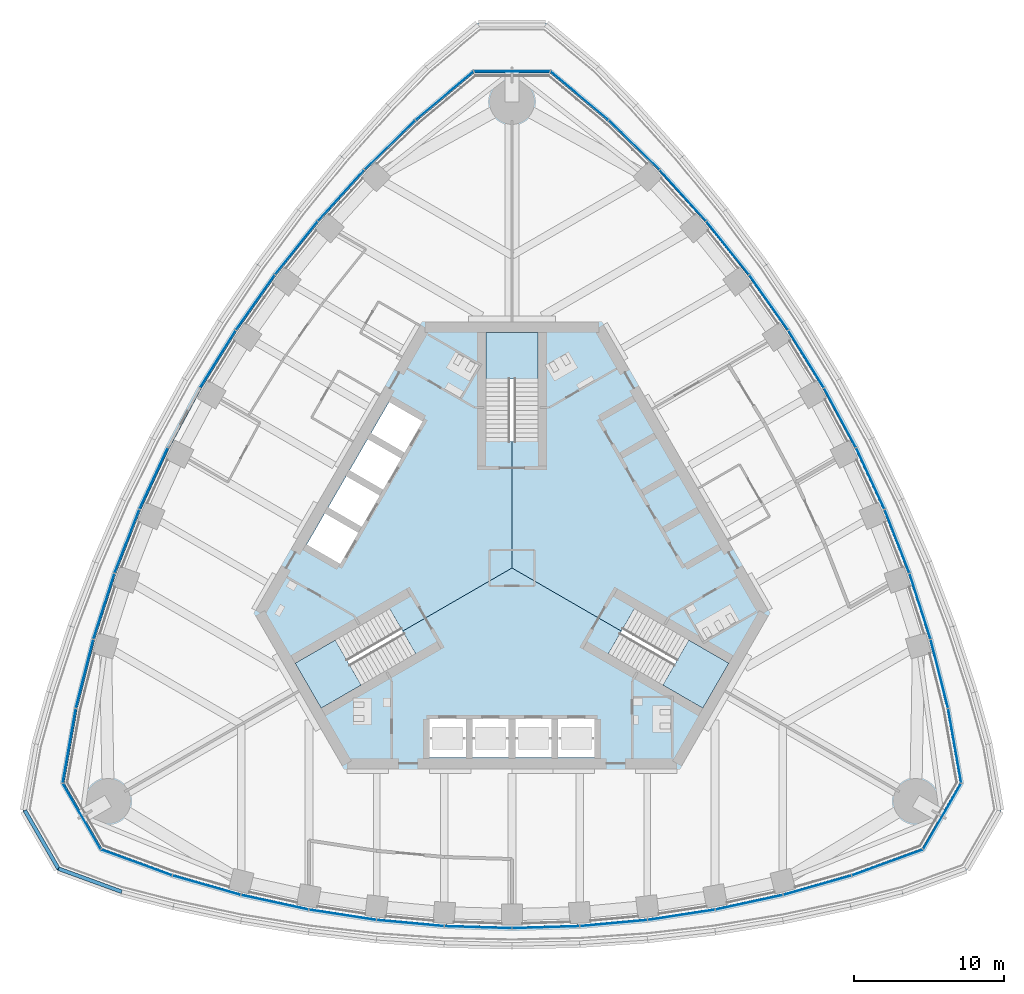
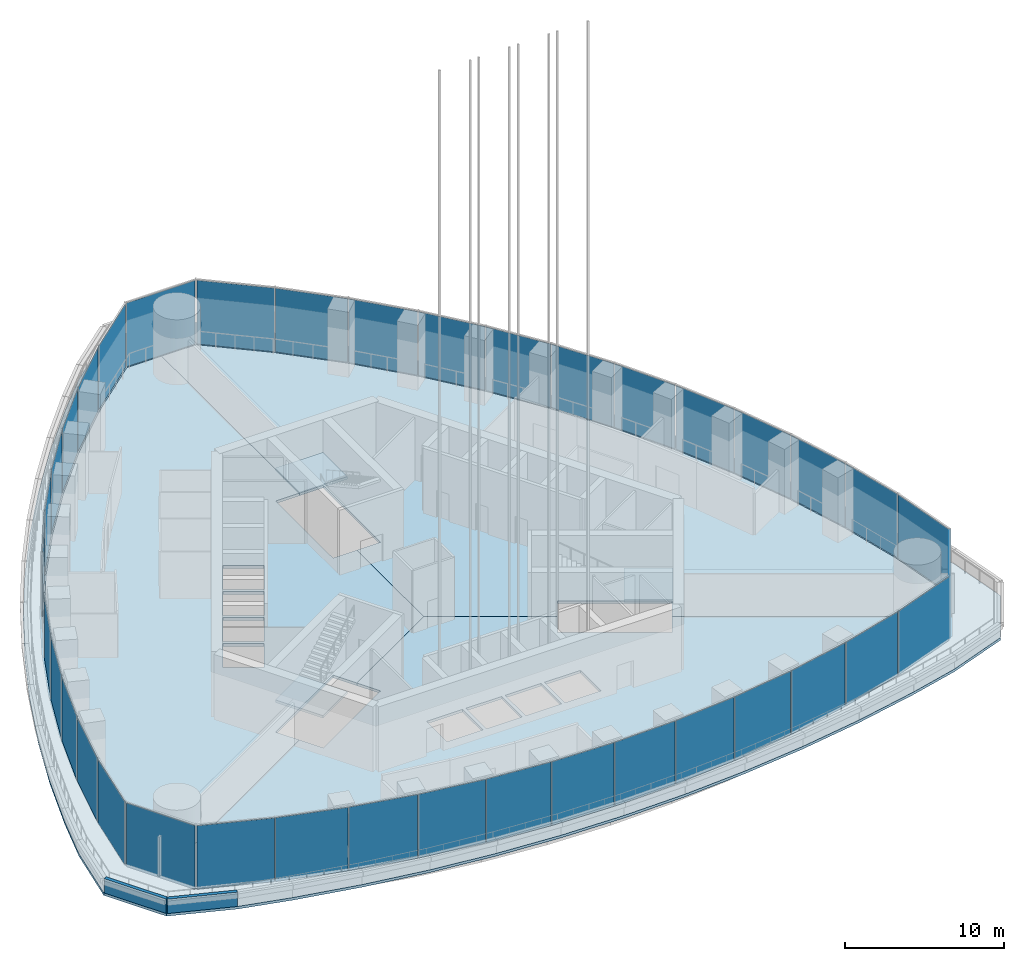
# One storey, part 8 of 26: 38 plates, 7 slabs, 2 walls, 10 elements without a shape of their own.
"""IFC4 building model written with IfcOpenShell, lengths in metres."""

import ifcopenshell
import ifcopenshell.guid

model = None  # the IFC model being written
_history = None  # IfcOwnerHistory: only IFC2X3 demands one
_inside = {}  # id of a spatial element -> (the spatial element, [elements in it])
_under = {}  # id of a project, library or spatial element -> (it, [spatial elements below it])
_declared = {}  # id of a project -> (the project, [libraries it declares])
_typed = {}  # id of a type object -> (the type object, [elements of that type])
_made_of = {}  # id of a material, layer set ... -> (it, [elements and type objects made of it])


def new_model(schema):
    """Start an empty IFC model of exactly this schema.

    Asked for "IFC4X3", IfcOpenShell would pick the latest addendum, in which some entities
    have other attributes; the version numbers below select the first issue.
    IFC2X3 requires an IfcOwnerHistory on every rooted entity: one is made here for all.
    """
    global model, _history
    if schema == "IFC4X3":
        model = ifcopenshell.file(schema_version=(4, 3, 0, 0))
    else:
        model = ifcopenshell.file(schema=schema)
    _inside.clear()
    _under.clear()
    _declared.clear()
    _typed.clear()
    _made_of.clear()
    _history = None
    if model.schema == "IFC2X3":
        org = make("IfcOrganization", Name="unknown")
        user = make(
            "IfcPersonAndOrganization",
            ThePerson=make("IfcPerson", FamilyName="unknown"),
            TheOrganization=org,
        )
        app = make(
            "IfcApplication",
            ApplicationDeveloper=org,
            Version="unknown",
            ApplicationFullName="unknown",
            ApplicationIdentifier="unknown",
        )
        _history = make(
            "IfcOwnerHistory",
            OwningUser=user,
            OwningApplication=app,
            ChangeAction="ADDED",
            CreationDate=0,
        )
    return model


def make(cls, **values):
    """One entity of the class cls with the attributes given. An attribute that is None is left unset."""
    return model.create_entity(
        cls, **{name: value for name, value in values.items() if value is not None}
    )


def rooted(cls, **values):
    """An entity with a GlobalId (a new one), such as an element, a storey or a relation."""
    return make(cls, GlobalId=ifcopenshell.guid.new(), OwnerHistory=_history, **values)


def si_unit(unit_type, name, prefix=None):
    """IfcSIUnit, for example si_unit("LENGTHUNIT", "METRE", prefix="MILLI")."""
    return make("IfcSIUnit", UnitType=unit_type, Prefix=prefix, Name=name)


def assignment(units):
    """IfcUnitAssignment: the units of a project."""
    return None if units is None else make("IfcUnitAssignment", Units=units)


def point(xyz):
    """IfcCartesianPoint."""
    return None if xyz is None else make("IfcCartesianPoint", Coordinates=xyz)


def direction(xyz):
    """IfcDirection."""
    return None if xyz is None else make("IfcDirection", DirectionRatios=xyz)


def frame(location, z_axis=None, x_axis=None):
    """IfcAxis2Placement3D, a coordinate frame: its origin and axes. An axis left out is left unset."""
    return make(
        "IfcAxis2Placement3D",
        Location=point(location),
        Axis=direction(z_axis),
        RefDirection=direction(x_axis),
    )


def frame_2d(location, x_axis=None):
    """IfcAxis2Placement2D, a coordinate frame in the plane: its origin and x axis."""
    return make(
        "IfcAxis2Placement2D", Location=point(location), RefDirection=direction(x_axis)
    )


def origin():
    """The frame at (0, 0, 0) with its axes left unset."""
    return frame((0.0, 0.0, 0.0))


def origin_2d():
    """The frame at (0, 0) in the plane with its x axis left unset."""
    return frame_2d((0.0, 0.0))


def place(relative_to, where):
    """IfcLocalPlacement: puts the frame where relative to a parent placement (None: the world)."""
    return make(
        "IfcLocalPlacement", PlacementRelTo=relative_to, RelativePlacement=where
    )


def context(
    kind, dimensions, precision=None, world=None, true_north=None, identifier=None
):
    """IfcGeometricRepresentationContext, for example the 3D "Model" context."""
    return make(
        "IfcGeometricRepresentationContext",
        ContextIdentifier=identifier,
        ContextType=kind,
        CoordinateSpaceDimension=dimensions,
        Precision=precision,
        WorldCoordinateSystem=world,
        TrueNorth=true_north,
    )


def subcontext(parent, identifier, kind, view, scale=None):
    """IfcGeometricRepresentationSubContext, for example "Body" below "Model"."""
    return make(
        "IfcGeometricRepresentationSubContext",
        ContextIdentifier=identifier,
        ContextType=kind,
        ParentContext=parent,
        TargetScale=scale,
        TargetView=view,
    )


def project(units=None, contexts=None):
    """IfcProject with its units and contexts."""
    return rooted(
        "IfcProject",
        Name="project",
        RepresentationContexts=contexts,
        UnitsInContext=assignment(units),
    )


def spatial(cls, under=None, at=None, **own):
    """A site, building, storey or space (cls), placed at a placement, below another one or the project."""
    s = rooted(cls, ObjectPlacement=at, **own)
    if under is not None:
        _under.setdefault(under.id(), (under, []))[1].append(s)
    return s


def polyline(points):
    """IfcPolyline through the points."""
    return make("IfcPolyline", Points=[point(p) for p in points])


def profile(cls, at=None, kind="AREA", **sizes):
    """A parametric profile (cls). Its sizes go by their IFC names, for example OverallWidth=200.0."""
    return make(cls, ProfileType=kind, Position=at, **sizes)


def rectangle(**sizes):
    """IfcRectangleProfileDef."""
    return profile("IfcRectangleProfileDef", **sizes)


def outline(outer, holes=None, kind="AREA"):
    """IfcArbitraryClosedProfileDef: a profile drawn as a closed curve; with holes, ...WithVoids."""
    if holes is None:
        return make("IfcArbitraryClosedProfileDef", ProfileType=kind, OuterCurve=outer)
    return make(
        "IfcArbitraryProfileDefWithVoids",
        ProfileType=kind,
        OuterCurve=outer,
        InnerCurves=holes,
    )


def extrude(swept, where, along, depth):
    """IfcExtrudedAreaSolid: the profile swept, set in the frame where, extruded along a direction by depth."""
    return make(
        "IfcExtrudedAreaSolid",
        SweptArea=swept,
        Position=where,
        ExtrudedDirection=direction(along),
        Depth=depth,
    )


def shape(context_of_items, identifier, shape_type, items):
    """IfcShapeRepresentation: the items that make up one representation, for example the "Body"."""
    return make(
        "IfcShapeRepresentation",
        ContextOfItems=context_of_items,
        RepresentationIdentifier=identifier,
        RepresentationType=shape_type,
        Items=items,
    )


def material(Name=None, Category=None):
    """IfcMaterial."""
    return make("IfcMaterial", Name=Name, Category=Category)


def layer(
    of_material, thickness, ventilated=None, Name=None, Category=None, Priority=None
):
    """IfcMaterialLayer: one layer of a wall or slab, of a material (None: an air gap)."""
    return make(
        "IfcMaterialLayer",
        Material=of_material,
        LayerThickness=thickness,
        IsVentilated=ventilated,
        Name=Name,
        Category=Category,
        Priority=Priority,
    )


def layer_set(layers, Name=None):
    """IfcMaterialLayerSet."""
    return make("IfcMaterialLayerSet", MaterialLayers=layers, LayerSetName=Name)


def made_of(thing, what):
    """Note that an element or type object is made of a material, layer set ...; save() writes the relation."""
    if what is not None:
        _made_of.setdefault(what.id(), (what, []))[1].append(thing)
    return thing


def type_object(cls, material=None, **own):
    """A type object (cls), such as IfcWallType, which elements share."""
    return made_of(rooted(cls, **own), material)


def element(
    cls,
    number,
    at=None,
    inside=None,
    cuts=None,
    type_object=None,
    material=None,
    context=None,
    identifier="Body",
    shape_type=None,
    held_by="IfcProductDefinitionShape",
    body=None,
    shapes=None,
    **own,
):
    """One element of the class cls, such as IfcWall. Its Tag is "e" and its number.

    at: its placement. inside: the storey or other place that contains it. cuts: it is an
    opening in that element (IfcRelVoidsElement). A single representation is given by context,
    identifier, shape_type and body (its items); several are given by shapes. held_by: the class
    of the entity that holds the representations. save() writes the other relations.
    """
    e = rooted(cls, Tag="e%d" % number, ObjectPlacement=at, **own)
    if body is not None:
        shapes = [shape(context, identifier, shape_type, body)]
    if shapes is not None:
        e.Representation = make(held_by, Representations=shapes)
    if inside is not None:
        _inside.setdefault(inside.id(), (inside, []))[1].append(e)
    if cuts is not None:
        rooted(
            "IfcRelVoidsElement", RelatingBuildingElement=cuts, RelatedOpeningElement=e
        )
    if type_object is not None:
        _typed.setdefault(type_object.id(), (type_object, []))[1].append(e)
    return made_of(e, material)


def aggregate(whole, parts):
    """IfcRelAggregates: a whole, such as a stair, and the parts it consists of."""
    return rooted("IfcRelAggregates", RelatingObject=whole, RelatedObjects=parts)


def save(model, path):
    """Write the relations noted so far, then the file.

    IfcRelAggregates (storeys below a building ...), IfcRelContainedInSpatialStructure (elements
    in a storey), IfcRelDefinesByType, IfcRelAssociatesMaterial and IfcRelDeclares: one each for
    every whole, place, type object, material and project.
    """
    for whole, parts in _under.values():
        aggregate(whole, parts)
    for where, things in _inside.values():
        rooted(
            "IfcRelContainedInSpatialStructure",
            RelatedElements=things,
            RelatingStructure=where,
        )
    for kind, things in _typed.values():
        rooted("IfcRelDefinesByType", RelatedObjects=things, RelatingType=kind)
    for what, things in _made_of.values():
        rooted("IfcRelAssociatesMaterial", RelatedObjects=things, RelatingMaterial=what)
    for by, libraries in _declared.values():
        rooted("IfcRelDeclares", RelatingContext=by, RelatedDefinitions=libraries)
    model.write(path)


model = new_model("IFC4")

# Units and contexts
model_context = context("Model", 3, precision=1e-05, world=origin(), true_north=direction((0.0, 1.0)))
body_context = subcontext(model_context, "Body", "Model", "MODEL_VIEW")
ifc_project = project(units=[si_unit("LENGTHUNIT", "METRE"), si_unit("AREAUNIT", "SQUARE_METRE"), si_unit("VOLUMEUNIT", "CUBIC_METRE"), si_unit("PLANEANGLEUNIT", "RADIAN"), si_unit("MASSUNIT", "GRAM", prefix="KILO")], contexts=[model_context])

# Site, building, storey
site_placement = place(None, origin())
site = spatial("IfcSite", under=ifc_project, at=site_placement, CompositionType="ELEMENT")
building_placement = place(site_placement, origin())
building = spatial("IfcBuilding", under=site, at=building_placement, Name="Trefoil Bronze Tower", CompositionType="ELEMENT")
storey_placement = place(building_placement, frame((0.0, 0.0, 271.300048828125)))
storey = spatial("IfcBuildingStorey", under=building, at=storey_placement, Name="L62", CompositionType="ELEMENT", Elevation=271.300048828125)

# Curtain wall, plates
ifc_material_1 = material(Name="Tinted solar-control glass", Category="glass")
curtain_wall_type_1 = type_object("IfcCurtainWallType", Name="Bronze rounded corner curtain wall", PredefinedType="USERDEFINED", material=ifc_material_1)
curtain_wall_1_placement = place(storey_placement, origin())
curtain_wall_1 = element("IfcCurtainWall", 1, at=curtain_wall_1_placement, inside=storey, type_object=curtain_wall_type_1, Name="CW-B L62 K1", ObjectType="CURTAIN WALL", PredefinedType="USERDEFINED")
ifc_material_2 = material(Name="Tinted solar-control glass", Category="glass")
ifc_layer_1 = layer(ifc_material_2, 0.030029296875)
ifc_layer_set_1 = layer_set([ifc_layer_1], Name="Bronze rounded corner curtain wall glass panel")
plate_type_1 = type_object("IfcPlateType", Name="Bronze rounded corner curtain wall glass panel", PredefinedType="CURTAIN_PANEL", material=ifc_layer_set_1)
plate_1_placement = place(storey_placement, frame((24.939453125, -19.587646484375, 0.0), z_axis=(0.0, 0.0, 1.0), x_axis=(0.939692620786, 0.342020143326, 0.0)))
plate_1 = element("IfcPlate", 2, at=plate_1_placement, type_object=plate_type_1, Name="CW-B L62 K1 panel 1", PredefinedType="CURTAIN_PANEL", context=body_context, shape_type="SweptSolid", body=[
    extrude(rectangle(XDim=4.956298828125, YDim=0.030029296875, at=origin_2d()), origin(), (0.0, 0.0, 1.0), 4.8798828125),
])
plate_2_placement = place(storey_placement, frame((28.602783203125, -16.513916015625, 0.0), z_axis=(0.0, 0.0, 1.0), x_axis=(0.5, 0.866025403784, 0.0)))
plate_2 = element("IfcPlate", 3, at=plate_2_placement, type_object=plate_type_1, Name="CW-B L62 K1 panel 2", PredefinedType="CURTAIN_PANEL", context=body_context, shape_type="SweptSolid", body=[
    extrude(rectangle(XDim=4.956298828125, YDim=0.030029296875, at=origin_2d()), origin(), (0.0, 0.0, 1.0), 4.8798828125),
])
plate_3_placement = place(storey_placement, frame((29.43310546875, -11.80419921875, 0.0), z_axis=(0.0, 0.0, 1.0), x_axis=(-0.173648177667, 0.984807753012, 0.0)))
plate_3 = element("IfcPlate", 4, at=plate_3_placement, type_object=plate_type_1, Name="CW-B L62 K1 panel 3", PredefinedType="CURTAIN_PANEL", context=body_context, shape_type="SweptSolid", body=[
    extrude(rectangle(XDim=4.956298828125, YDim=0.030029296875, at=origin_2d()), origin(), (0.0, 0.0, 1.0), 4.8798828125),
])
aggregate(curtain_wall_1, [plate_1, plate_2, plate_3])

curtain_wall_2_placement = place(storey_placement, origin())
curtain_wall_2 = element("IfcCurtainWall", 5, at=curtain_wall_2_placement, inside=storey, type_object=curtain_wall_type_1, Name="CW-B L62 K2", ObjectType="CURTAIN WALL", PredefinedType="USERDEFINED")
plate_4_placement = place(storey_placement, frame((4.493896484375, 31.39208984375, 0.0), z_axis=(0.0, 0.0, 1.0), x_axis=(-0.766044443119, 0.642787609687, 0.0)))
plate_4 = element("IfcPlate", 6, at=plate_4_placement, type_object=plate_type_1, Name="CW-B L62 K2 panel 1", PredefinedType="CURTAIN_PANEL", context=body_context, shape_type="SweptSolid", body=[
    extrude(rectangle(XDim=4.956298828125, YDim=0.030029296875, at=origin_2d()), origin(), (0.0, 0.0, 1.0), 4.8798828125),
])
plate_5_placement = place(storey_placement, frame((0.0, 33.027587890625, 0.0), z_axis=(0.0, 0.0, 1.0), x_axis=(-1.0, 0.0, 0.0)))
plate_5 = element("IfcPlate", 7, at=plate_5_placement, type_object=plate_type_1, Name="CW-B L62 K2 panel 2", PredefinedType="CURTAIN_PANEL", context=body_context, shape_type="SweptSolid", body=[
    extrude(rectangle(XDim=4.956298828125, YDim=0.030029296875, at=origin_2d()), origin(), (0.0, 0.0, 1.0), 4.8798828125),
])
plate_6_placement = place(storey_placement, frame((-4.493896484375, 31.39208984375, 0.0), z_axis=(0.0, 0.0, 1.0), x_axis=(-0.766044443119, -0.642787609687, 0.0)))
plate_6 = element("IfcPlate", 8, at=plate_6_placement, type_object=plate_type_1, Name="CW-B L62 K2 panel 3", PredefinedType="CURTAIN_PANEL", context=body_context, shape_type="SweptSolid", body=[
    extrude(rectangle(XDim=4.956298828125, YDim=0.030029296875, at=origin_2d()), origin(), (0.0, 0.0, 1.0), 4.8798828125),
])
aggregate(curtain_wall_2, [plate_4, plate_5, plate_6])

curtain_wall_3_placement = place(storey_placement, origin())
curtain_wall_3 = element("IfcCurtainWall", 9, at=curtain_wall_3_placement, inside=storey, type_object=curtain_wall_type_1, Name="CW-B L62 K3", ObjectType="CURTAIN WALL", PredefinedType="USERDEFINED")
plate_7_placement = place(storey_placement, frame((-29.43310546875, -11.80419921875, 0.0), z_axis=(0.0, 0.0, 1.0), x_axis=(-0.173648177667, -0.984807753012, 0.0)))
plate_7 = element("IfcPlate", 10, at=plate_7_placement, type_object=plate_type_1, Name="CW-B L62 K3 panel 1", PredefinedType="CURTAIN_PANEL", context=body_context, shape_type="SweptSolid", body=[
    extrude(rectangle(XDim=4.956298828125, YDim=0.030029296875, at=origin_2d()), origin(), (0.0, 0.0, 1.0), 4.8798828125),
])
plate_8_placement = place(storey_placement, frame((-28.602783203125, -16.513916015625, 0.0), z_axis=(0.0, 0.0, 1.0), x_axis=(0.5, -0.866025403784, 0.0)))
plate_8 = element("IfcPlate", 11, at=plate_8_placement, type_object=plate_type_1, Name="CW-B L62 K3 panel 2", PredefinedType="CURTAIN_PANEL", context=body_context, shape_type="SweptSolid", body=[
    extrude(rectangle(XDim=4.956298828125, YDim=0.030029296875, at=origin_2d()), origin(), (0.0, 0.0, 1.0), 4.8798828125),
])
plate_9_placement = place(storey_placement, frame((-24.939453125, -19.587646484375, 0.0), z_axis=(0.0, 0.0, 1.0), x_axis=(0.939692620786, -0.342020143326, 0.0)))
plate_9 = element("IfcPlate", 12, at=plate_9_placement, type_object=plate_type_1, Name="CW-B L62 K3 panel 3", PredefinedType="CURTAIN_PANEL", context=body_context, shape_type="SweptSolid", body=[
    extrude(rectangle(XDim=4.956298828125, YDim=0.030029296875, at=origin_2d()), origin(), (0.0, 0.0, 1.0), 4.8798828125),
])
aggregate(curtain_wall_3, [plate_7, plate_8, plate_9])

ifc_material_3 = material(Name="Tinted solar-control glass", Category="glass")
curtain_wall_type_2 = type_object("IfcCurtainWallType", Name="Bronze sky lobby curtain wall", PredefinedType="USERDEFINED", material=ifc_material_3)
curtain_wall_4_placement = place(storey_placement, origin())
curtain_wall_4 = element("IfcCurtainWall", 13, at=curtain_wall_4_placement, inside=storey, type_object=curtain_wall_type_2, Name="CW-D L62 F1", ObjectType="CURTAIN WALL", PredefinedType="USERDEFINED")
ifc_material_4 = material(Name="Tinted solar-control glass", Category="glass")
ifc_layer_2 = layer(ifc_material_4, 0.030029296875)
ifc_layer_set_2 = layer_set([ifc_layer_2], Name="Bronze sky lobby curtain wall glass panel")
plate_type_2 = type_object("IfcPlateType", Name="Bronze sky lobby curtain wall glass panel", PredefinedType="CURTAIN_PANEL", material=ifc_layer_set_2)
plate_10_placement = place(storey_placement, frame((-20.301513671875, -21.092529296875, 0.0), z_axis=(0.0, 0.0, 1.0), x_axis=(0.962097746943, -0.272704831875, 0.0)))
plate_10 = element("IfcPlate", 14, at=plate_10_placement, type_object=plate_type_2, Name="CW-D L62 F1 panel 1", PredefinedType="CURTAIN_PANEL", context=body_context, shape_type="SweptSolid", body=[
    extrude(rectangle(XDim=4.66748046875, YDim=0.030029296875, at=origin_2d()), origin(), (0.0, 0.0, 1.0), 4.8798828125),
])
plate_11_placement = place(storey_placement, frame((-15.771240234375, -22.226318359375, 0.0), z_axis=(0.0, 0.0, 1.0), x_axis=(0.977303138829, -0.211845639168, 0.0)))
plate_11 = element("IfcPlate", 15, at=plate_11_placement, type_object=plate_type_2, Name="CW-D L62 F1 panel 2", PredefinedType="CURTAIN_PANEL", context=body_context, shape_type="SweptSolid", body=[
    extrude(rectangle(XDim=4.54443359375, YDim=0.030029296875, at=origin_2d()), origin(), (0.0, 0.0, 1.0), 4.8798828125),
])
plate_12_placement = place(storey_placement, frame((-11.26513671875, -23.0595703125, 0.0), z_axis=(0.0, 0.0, 1.0), x_axis=(0.988485337216, -0.151316681529, 0.0)))
plate_12 = element("IfcPlate", 16, at=plate_12_placement, type_object=plate_type_2, Name="CW-D L62 F1 panel 3", PredefinedType="CURTAIN_PANEL", context=body_context, shape_type="SweptSolid", body=[
    extrude(rectangle(XDim=4.492431640625, YDim=0.030029296875, at=origin_2d()), origin(), (0.0, 0.0, 1.0), 4.8798828125),
])
plate_13_placement = place(storey_placement, frame((-6.759033203125, -23.60986328125, 0.0), z_axis=(0.0, 0.0, 1.0), x_axis=(0.99587011625, -0.090789380212, 0.0)))
plate_13 = element("IfcPlate", 17, at=plate_13_placement, type_object=plate_type_2, Name="CW-D L62 F1 panel 4", PredefinedType="CURTAIN_PANEL", context=body_context, shape_type="SweptSolid", body=[
    extrude(rectangle(XDim=4.458740234375, YDim=0.030029296875, at=origin_2d()), origin(), (0.0, 0.0, 1.0), 4.8798828125),
])
plate_14_placement = place(storey_placement, frame((-2.2529296875, -23.883544921875, 0.0), z_axis=(0.0, 0.0, 1.0), x_axis=(0.999541969785, -0.030263024264, 0.0)))
plate_14 = element("IfcPlate", 18, at=plate_14_placement, type_object=plate_type_2, Name="CW-D L62 F1 panel 5", PredefinedType="CURTAIN_PANEL", context=body_context, shape_type="SweptSolid", body=[
    extrude(rectangle(XDim=4.442138671875, YDim=0.030029296875, at=origin_2d()), origin(), (0.0, 0.0, 1.0), 4.8798828125),
])
plate_15_placement = place(storey_placement, frame((2.2529296875, -23.883544921875, 0.0), z_axis=(0.0, 0.0, 1.0), x_axis=(0.999541969785, 0.030263024264, 0.0)))
plate_15 = element("IfcPlate", 19, at=plate_15_placement, type_object=plate_type_2, Name="CW-D L62 F1 panel 6", PredefinedType="CURTAIN_PANEL", context=body_context, shape_type="SweptSolid", body=[
    extrude(rectangle(XDim=4.442138671875, YDim=0.030029296875, at=origin_2d()), origin(), (0.0, 0.0, 1.0), 4.8798828125),
])
plate_16_placement = place(storey_placement, frame((6.759033203125, -23.60986328125, 0.0), z_axis=(0.0, 0.0, 1.0), x_axis=(0.99587011625, 0.090789380212, 0.0)))
plate_16 = element("IfcPlate", 20, at=plate_16_placement, type_object=plate_type_2, Name="CW-D L62 F1 panel 7", PredefinedType="CURTAIN_PANEL", context=body_context, shape_type="SweptSolid", body=[
    extrude(rectangle(XDim=4.458740234375, YDim=0.030029296875, at=origin_2d()), origin(), (0.0, 0.0, 1.0), 4.8798828125),
])
plate_17_placement = place(storey_placement, frame((11.26513671875, -23.0595703125, 0.0), z_axis=(0.0, 0.0, 1.0), x_axis=(0.988485337216, 0.151316681529, 0.0)))
plate_17 = element("IfcPlate", 21, at=plate_17_placement, type_object=plate_type_2, Name="CW-D L62 F1 panel 8", PredefinedType="CURTAIN_PANEL", context=body_context, shape_type="SweptSolid", body=[
    extrude(rectangle(XDim=4.492431640625, YDim=0.030029296875, at=origin_2d()), origin(), (0.0, 0.0, 1.0), 4.8798828125),
])
plate_18_placement = place(storey_placement, frame((15.771240234375, -22.226318359375, 0.0), z_axis=(0.0, 0.0, 1.0), x_axis=(0.977303138829, 0.211845639168, 0.0)))
plate_18 = element("IfcPlate", 22, at=plate_18_placement, type_object=plate_type_2, Name="CW-D L62 F1 panel 9", PredefinedType="CURTAIN_PANEL", context=body_context, shape_type="SweptSolid", body=[
    extrude(rectangle(XDim=4.54443359375, YDim=0.030029296875, at=origin_2d()), origin(), (0.0, 0.0, 1.0), 4.8798828125),
])
plate_19_placement = place(storey_placement, frame((20.301513671875, -21.092529296875, 0.0), z_axis=(0.0, 0.0, 1.0), x_axis=(0.962097746943, 0.272704831875, 0.0)))
plate_19 = element("IfcPlate", 23, at=plate_19_placement, type_object=plate_type_2, Name="CW-D L62 F1 panel 10", PredefinedType="CURTAIN_PANEL", context=body_context, shape_type="SweptSolid", body=[
    extrude(rectangle(XDim=4.66748046875, YDim=0.030029296875, at=origin_2d()), origin(), (0.0, 0.0, 1.0), 4.8798828125),
])
aggregate(curtain_wall_4, [plate_10, plate_11, plate_12, plate_13, plate_14, plate_15, plate_16, plate_17, plate_18, plate_19])

curtain_wall_5_placement = place(storey_placement, origin())
curtain_wall_5 = element("IfcCurtainWall", 24, at=curtain_wall_5_placement, inside=storey, type_object=curtain_wall_type_2, Name="CW-D L62 F2", ObjectType="CURTAIN WALL", PredefinedType="USERDEFINED")
plate_20_placement = place(storey_placement, frame((28.417236328125, -7.035400390625, 0.0), z_axis=(0.0, 0.0, 1.0), x_axis=(-0.244879561333, 0.969553505713, 0.0)))
plate_20 = element("IfcPlate", 25, at=plate_20_placement, type_object=plate_type_2, Name="CW-D L62 F2 panel 1", PredefinedType="CURTAIN_PANEL", context=body_context, shape_type="SweptSolid", body=[
    extrude(rectangle(XDim=4.66748046875, YDim=0.030029296875, at=origin_2d()), origin(), (0.0, 0.0, 1.0), 4.8798828125),
])
plate_21_placement = place(storey_placement, frame((27.134033203125, -2.545166015625, 0.0), z_axis=(0.0, 0.0, 1.0), x_axis=(-0.305187864214, 0.952292165009, 0.0)))
plate_21 = element("IfcPlate", 26, at=plate_21_placement, type_object=plate_type_2, Name="CW-D L62 F2 panel 2", PredefinedType="CURTAIN_PANEL", context=body_context, shape_type="SweptSolid", body=[
    extrude(rectangle(XDim=4.54443359375, YDim=0.030029296875, at=origin_2d()), origin(), (0.0, 0.0, 1.0), 4.8798828125),
])
plate_22_placement = place(storey_placement, frame((25.602783203125, 1.77392578125, 0.0), z_axis=(0.0, 0.0, 1.0), x_axis=(-0.363198578387, 0.931711754062, 0.0)))
plate_22 = element("IfcPlate", 27, at=plate_22_placement, type_object=plate_type_2, Name="CW-D L62 F2 panel 3", PredefinedType="CURTAIN_PANEL", context=body_context, shape_type="SweptSolid", body=[
    extrude(rectangle(XDim=4.492431640625, YDim=0.030029296875, at=origin_2d()), origin(), (0.0, 0.0, 1.0), 4.8798828125),
])
plate_23_placement = place(storey_placement, frame((23.826171875, 5.951416015625, 0.0), z_axis=(0.0, 0.0, 1.0), x_axis=(-0.419309148468, 0.907843509649, 0.0)))
plate_23 = element("IfcPlate", 28, at=plate_23_placement, type_object=plate_type_2, Name="CW-D L62 F2 panel 4", PredefinedType="CURTAIN_PANEL", context=body_context, shape_type="SweptSolid", body=[
    extrude(rectangle(XDim=4.458740234375, YDim=0.030029296875, at=origin_2d()), origin(), (0.0, 0.0, 1.0), 4.8798828125),
])
plate_24_placement = place(storey_placement, frame((21.81005859375, 9.990478515625, 0.0), z_axis=(0.0, 0.0, 1.0), x_axis=(-0.473562437085, 0.880760250115, 0.0)))
plate_24 = element("IfcPlate", 29, at=plate_24_placement, type_object=plate_type_2, Name="CW-D L62 F2 panel 5", PredefinedType="CURTAIN_PANEL", context=body_context, shape_type="SweptSolid", body=[
    extrude(rectangle(XDim=4.442138671875, YDim=0.030029296875, at=origin_2d()), origin(), (0.0, 0.0, 1.0), 4.8798828125),
])
plate_25_placement = place(storey_placement, frame((19.55712890625, 13.892822265625, 0.0), z_axis=(0.0, 0.0, 1.0), x_axis=(-0.525979532701, 0.850497225851, 0.0)))
plate_25 = element("IfcPlate", 30, at=plate_25_placement, type_object=plate_type_2, Name="CW-D L62 F2 panel 6", PredefinedType="CURTAIN_PANEL", context=body_context, shape_type="SweptSolid", body=[
    extrude(rectangle(XDim=4.442138671875, YDim=0.030029296875, at=origin_2d()), origin(), (0.0, 0.0, 1.0), 4.8798828125),
])
plate_26_placement = place(storey_placement, frame((17.067138671875, 17.658447265625, 0.0), z_axis=(0.0, 0.0, 1.0), x_axis=(-0.576560967783, 0.817054129437, 0.0)))
plate_26 = element("IfcPlate", 31, at=plate_26_placement, type_object=plate_type_2, Name="CW-D L62 F2 panel 7", PredefinedType="CURTAIN_PANEL", context=body_context, shape_type="SweptSolid", body=[
    extrude(rectangle(XDim=4.458740234375, YDim=0.030029296875, at=origin_2d()), origin(), (0.0, 0.0, 1.0), 4.8798828125),
])
plate_27_placement = place(storey_placement, frame((14.337646484375, 21.28564453125, 0.0), z_axis=(0.0, 0.0, 1.0), x_axis=(-0.625286758829, 0.780395072533, 0.0)))
plate_27 = element("IfcPlate", 32, at=plate_27_placement, type_object=plate_type_2, Name="CW-D L62 F2 panel 8", PredefinedType="CURTAIN_PANEL", context=body_context, shape_type="SweptSolid", body=[
    extrude(rectangle(XDim=4.492431640625, YDim=0.030029296875, at=origin_2d()), origin(), (0.0, 0.0, 1.0), 4.8798828125),
])
plate_28_placement = place(storey_placement, frame((11.36279296875, 24.771484375, 0.0), z_axis=(0.0, 0.0, 1.0), x_axis=(-0.672115274615, 0.74044652584, 0.0)))
plate_28 = element("IfcPlate", 33, at=plate_28_placement, type_object=plate_type_2, Name="CW-D L62 F2 panel 9", PredefinedType="CURTAIN_PANEL", context=body_context, shape_type="SweptSolid", body=[
    extrude(rectangle(XDim=4.54443359375, YDim=0.030029296875, at=origin_2d()), origin(), (0.0, 0.0, 1.0), 4.8798828125),
])
plate_29_placement = place(storey_placement, frame((8.115966796875, 28.127685546875, 0.0), z_axis=(0.0, 0.0, 1.0), x_axis=(-0.71721818561, 0.696848673839, 0.0)))
plate_29 = element("IfcPlate", 34, at=plate_29_placement, type_object=plate_type_2, Name="CW-D L62 F2 panel 10", PredefinedType="CURTAIN_PANEL", context=body_context, shape_type="SweptSolid", body=[
    extrude(rectangle(XDim=4.66748046875, YDim=0.030029296875, at=origin_2d()), origin(), (0.0, 0.0, 1.0), 4.8798828125),
])
aggregate(curtain_wall_5, [plate_20, plate_21, plate_22, plate_23, plate_24, plate_25, plate_26, plate_27, plate_28, plate_29])

curtain_wall_6_placement = place(storey_placement, origin())
curtain_wall_6 = element("IfcCurtainWall", 35, at=curtain_wall_6_placement, inside=storey, type_object=curtain_wall_type_2, Name="CW-D L62 F3 run 1", ObjectType="CURTAIN WALL", PredefinedType="USERDEFINED")
plate_30_placement = place(storey_placement, frame((-8.115966796875, 28.127685546875, 0.0), z_axis=(0.0, 0.0, 1.0), x_axis=(-0.71721818561, -0.696848673839, 0.0)))
plate_30 = element("IfcPlate", 36, at=plate_30_placement, type_object=plate_type_2, Name="CW-D L62 F3 run 1 panel 1", PredefinedType="CURTAIN_PANEL", context=body_context, shape_type="SweptSolid", body=[
    extrude(rectangle(XDim=4.66748046875, YDim=0.030029296875, at=origin_2d()), origin(), (0.0, 0.0, 1.0), 4.8798828125),
])
plate_31_placement = place(storey_placement, frame((-11.36279296875, 24.771484375, 0.0), z_axis=(0.0, 0.0, 1.0), x_axis=(-0.672115274615, -0.74044652584, 0.0)))
plate_31 = element("IfcPlate", 37, at=plate_31_placement, type_object=plate_type_2, Name="CW-D L62 F3 run 1 panel 2", PredefinedType="CURTAIN_PANEL", context=body_context, shape_type="SweptSolid", body=[
    extrude(rectangle(XDim=4.54443359375, YDim=0.030029296875, at=origin_2d()), origin(), (0.0, 0.0, 1.0), 4.8798828125),
])
plate_32_placement = place(storey_placement, frame((-14.337646484375, 21.28564453125, 0.0), z_axis=(0.0, 0.0, 1.0), x_axis=(-0.625286758829, -0.780395072533, 0.0)))
plate_32 = element("IfcPlate", 38, at=plate_32_placement, type_object=plate_type_2, Name="CW-D L62 F3 run 1 panel 3", PredefinedType="CURTAIN_PANEL", context=body_context, shape_type="SweptSolid", body=[
    extrude(rectangle(XDim=4.492431640625, YDim=0.030029296875, at=origin_2d()), origin(), (0.0, 0.0, 1.0), 4.8798828125),
])
plate_33_placement = place(storey_placement, frame((-17.067138671875, 17.658447265625, 0.0), z_axis=(0.0, 0.0, 1.0), x_axis=(-0.576560967783, -0.817054129437, 0.0)))
plate_33 = element("IfcPlate", 39, at=plate_33_placement, type_object=plate_type_2, Name="CW-D L62 F3 run 1 panel 4", PredefinedType="CURTAIN_PANEL", context=body_context, shape_type="SweptSolid", body=[
    extrude(rectangle(XDim=4.458740234375, YDim=0.030029296875, at=origin_2d()), origin(), (0.0, 0.0, 1.0), 4.8798828125),
])
plate_34_placement = place(storey_placement, frame((-19.55712890625, 13.892822265625, 0.0), z_axis=(0.0, 0.0, 1.0), x_axis=(-0.525979532701, -0.850497225851, 0.0)))
plate_34 = element("IfcPlate", 40, at=plate_34_placement, type_object=plate_type_2, Name="CW-D L62 F3 run 1 panel 5", PredefinedType="CURTAIN_PANEL", context=body_context, shape_type="SweptSolid", body=[
    extrude(rectangle(XDim=4.442138671875, YDim=0.030029296875, at=origin_2d()), origin(), (0.0, 0.0, 1.0), 4.8798828125),
])
aggregate(curtain_wall_6, [plate_30, plate_31, plate_32, plate_33, plate_34])

curtain_wall_7_placement = place(storey_placement, origin())
curtain_wall_7 = element("IfcCurtainWall", 41, at=curtain_wall_7_placement, inside=storey, type_object=curtain_wall_type_2, Name="CW-D L62 F3 run 3", ObjectType="CURTAIN WALL", PredefinedType="USERDEFINED")
plate_35_placement = place(storey_placement, frame((-23.826171875, 5.951416015625, 0.0), z_axis=(0.0, 0.0, 1.0), x_axis=(-0.419309148468, -0.907843509649, 0.0)))
plate_35 = element("IfcPlate", 42, at=plate_35_placement, type_object=plate_type_2, Name="CW-D L62 F3 run 3 panel 1", PredefinedType="CURTAIN_PANEL", context=body_context, shape_type="SweptSolid", body=[
    extrude(rectangle(XDim=4.458740234375, YDim=0.030029296875, at=origin_2d()), origin(), (0.0, 0.0, 1.0), 4.8798828125),
])
plate_36_placement = place(storey_placement, frame((-25.602783203125, 1.77392578125, 0.0), z_axis=(0.0, 0.0, 1.0), x_axis=(-0.363198578387, -0.931711754062, 0.0)))
plate_36 = element("IfcPlate", 43, at=plate_36_placement, type_object=plate_type_2, Name="CW-D L62 F3 run 3 panel 2", PredefinedType="CURTAIN_PANEL", context=body_context, shape_type="SweptSolid", body=[
    extrude(rectangle(XDim=4.492431640625, YDim=0.030029296875, at=origin_2d()), origin(), (0.0, 0.0, 1.0), 4.8798828125),
])
plate_37_placement = place(storey_placement, frame((-27.134033203125, -2.545166015625, 0.0), z_axis=(0.0, 0.0, 1.0), x_axis=(-0.305187864214, -0.952292165009, 0.0)))
plate_37 = element("IfcPlate", 44, at=plate_37_placement, type_object=plate_type_2, Name="CW-D L62 F3 run 3 panel 3", PredefinedType="CURTAIN_PANEL", context=body_context, shape_type="SweptSolid", body=[
    extrude(rectangle(XDim=4.54443359375, YDim=0.030029296875, at=origin_2d()), origin(), (0.0, 0.0, 1.0), 4.8798828125),
])
plate_38_placement = place(storey_placement, frame((-28.417236328125, -7.035400390625, 0.0), z_axis=(0.0, 0.0, 1.0), x_axis=(-0.244879561333, -0.969553505713, 0.0)))
plate_38 = element("IfcPlate", 45, at=plate_38_placement, type_object=plate_type_2, Name="CW-D L62 F3 run 3 panel 4", PredefinedType="CURTAIN_PANEL", context=body_context, shape_type="SweptSolid", body=[
    extrude(rectangle(XDim=4.66748046875, YDim=0.030029296875, at=origin_2d()), origin(), (0.0, 0.0, 1.0), 4.8798828125),
])
aggregate(curtain_wall_7, [plate_35, plate_36, plate_37, plate_38])

# Slabs
ifc_material_5 = material(Name="Concrete B30", Category="concrete")
ifc_layer_3 = layer(ifc_material_5, 0.199951171875)
ifc_layer_set_3 = layer_set([ifc_layer_3], Name="Floor slab 200")
slab_type_1 = type_object("IfcSlabType", Name="Floor slab 200", PredefinedType="FLOOR", material=ifc_layer_set_3)
slab_1_placement = place(storey_placement, frame((0.0, 0.0, -0.199951171875)))
element("IfcSlab", 46, at=slab_1_placement, inside=storey, type_object=slab_type_1, Name="Floor slab L62 face 1", PredefinedType="FLOOR", context=body_context, shape_type="SweptSolid", body=[
    extrude(outline(polyline([(13.5, -22.6162109375), (9.0, -23.30517578125), (4.5, -23.71533203125), (0.0, -23.8515625), (-4.5, -23.71533203125), (-9.0, -23.30517578125), (-13.5, -22.6162109375), (-18.0, -21.640869140625), (-22.54833984375, -20.3515625), (-27.261962890625, -18.635986328125), (-28.51611328125, -16.4638671875), (-13.510009765625, -7.800048828125), (-12.6474609375, -9.2939453125), (-6.412109375, -5.69384765625), (-7.274658203125, -4.199951171875), (0.0, 0.0), (7.274658203125, -4.199951171875), (6.412109375, -5.69384765625), (12.6474609375, -9.2939453125), (13.510009765625, -7.800048828125), (28.51611328125, -16.4638671875), (27.261962890625, -18.635986328125), (22.54833984375, -20.3515625), (18.0, -21.640869140625), (13.5, -22.6162109375)]), holes=[polyline([(-5.574951171875, -10.02490234375), (-2.97509765625, -10.02490234375), (-2.97509765625, -12.60009765625), (-5.574951171875, -12.60009765625), (-5.574951171875, -10.02490234375)]), polyline([(-2.72509765625, -10.02490234375), (-0.125, -10.02490234375), (-0.125, -12.60009765625), (-2.72509765625, -12.60009765625), (-2.72509765625, -10.02490234375)]), polyline([(0.125, -10.02490234375), (2.72509765625, -10.02490234375), (2.72509765625, -12.60009765625), (0.125, -12.60009765625), (0.125, -10.02490234375)]), polyline([(2.97509765625, -10.02490234375), (5.574951171875, -10.02490234375), (5.574951171875, -12.60009765625), (2.97509765625, -12.60009765625), (2.97509765625, -10.02490234375)])]), origin(), (0.0, 0.0, 1.0), 0.199951171875),
])
slab_2_placement = place(storey_placement, frame((0.0, 0.0, -0.199951171875)))
element("IfcSlab", 47, at=slab_2_placement, inside=storey, type_object=slab_type_1, Name="Floor slab L62 face 2", PredefinedType="FLOOR", context=body_context, shape_type="SweptSolid", body=[
    extrude(outline(polyline([(12.836181640625, 22.99951171875), (15.682861328125, 19.44677734375), (18.2880859375, 15.7548828125), (20.656005859375, 11.92578125), (22.7880859375, 7.96044921875), (24.682861328125, 3.8583984375), (26.336181640625, -0.38330078125), (27.741455078125, -4.76806640625), (28.899169921875, -9.3515625), (29.770263671875, -14.291748046875), (28.51611328125, -16.4638671875), (13.510009765625, -7.800048828125), (14.37255859375, -6.30615234375), (8.13720703125, -2.7060546875), (7.274658203125, -4.199951171875), (0.0, 0.0), (0.0, 8.39990234375), (1.72509765625, 8.39990234375), (1.72509765625, 15.60009765625), (0.0, 15.60009765625), (0.0, 32.927490234375), (2.508056640625, 32.927490234375), (6.350830078125, 29.703125), (9.741455078125, 26.408935546875), (12.836181640625, 22.99951171875)])), origin(), (0.0, 0.0, 1.0), 0.199951171875),
])
slab_3_placement = place(storey_placement, frame((0.0, 0.0, -0.199951171875)))
element("IfcSlab", 48, at=slab_3_placement, inside=storey, type_object=slab_type_1, Name="Floor slab L62 face 3", PredefinedType="FLOOR", context=body_context, shape_type="SweptSolid", body=[
    extrude(outline(polyline([(-26.336181640625, -0.38330078125), (-24.682861328125, 3.8583984375), (-22.7880859375, 7.96044921875), (-20.656005859375, 11.92578125), (-18.2880859375, 15.7548828125), (-15.682861328125, 19.44677734375), (-12.836181640625, 22.99951171875), (-9.741455078125, 26.408935546875), (-6.350830078125, 29.703125), (-2.508056640625, 32.927490234375), (0.0, 32.927490234375), (0.0, 15.60009765625), (-1.72509765625, 15.60009765625), (-1.72509765625, 8.39990234375), (0.0, 8.39990234375), (0.0, 0.0), (-7.274658203125, -4.199951171875), (-8.13720703125, -2.7060546875), (-14.37255859375, -6.30615234375), (-13.510009765625, -7.800048828125), (-28.51611328125, -16.4638671875), (-29.770263671875, -14.291748046875), (-28.899169921875, -9.3515625), (-27.741455078125, -4.76806640625), (-26.336181640625, -0.38330078125)]), holes=[polyline([(-5.894287109375, 9.840576171875), (-7.1943359375, 7.5888671875), (-9.42431640625, 8.87646484375), (-8.12451171875, 11.128173828125), (-5.894287109375, 9.840576171875)]), polyline([(-7.3193359375, 7.372314453125), (-8.619384765625, 5.120849609375), (-10.849365234375, 6.408203125), (-9.54931640625, 8.659912109375), (-7.3193359375, 7.372314453125)]), polyline([(-8.744384765625, 4.904296875), (-10.04443359375, 2.652587890625), (-12.2744140625, 3.940185546875), (-10.974365234375, 6.191650390625), (-8.744384765625, 4.904296875)]), polyline([(-10.16943359375, 2.43603515625), (-11.469482421875, 0.184326171875), (-13.699462890625, 1.471923828125), (-12.3994140625, 3.7236328125), (-10.16943359375, 2.43603515625)])]), origin(), (0.0, 0.0, 1.0), 0.199951171875),
])
ifc_material_6 = material(Name="Concrete B30", Category="concrete")
ifc_layer_4 = layer(ifc_material_6, 0.199951171875)
ifc_layer_set_4 = layer_set([ifc_layer_4], Name="Setback maintenance roof 200")
slab_type_2 = type_object("IfcSlabType", Name="Setback maintenance roof 200", PredefinedType="ROOF", material=ifc_layer_set_4)
slab_4_placement = place(storey_placement, frame((0.0, 0.0, -0.199951171875)))
element("IfcSlab", 49, at=slab_4_placement, inside=storey, type_object=slab_type_2, Name="Setback maintenance roof L62", PredefinedType="ROOF", context=body_context, shape_type="SweptSolid", body=[
    extrude(outline(polyline([(-25.952880859375, -21.650634765625), (-22.5, -22.531982421875), (-18.0, -23.48291015625), (-13.5, -24.216064453125), (-9.0, -24.736328125), (-4.5, -25.047119140625), (0.0, -25.150634765625), (4.5, -25.047119140625), (9.0, -24.736328125), (13.5, -24.216064453125), (18.0, -23.48291015625), (22.5, -22.531982421875), (25.952880859375, -21.650634765625), (30.23828125, -20.0908203125), (32.518310546875, -16.1416015625), (31.7265625, -11.650634765625), (30.76318359375, -8.219482421875), (29.3369140625, -3.846923828125), (27.7216796875, 0.416748046875), (25.92236328125, 4.573974609375), (23.941650390625, 8.62646484375), (21.781005859375, 12.575439453125), (19.441650390625, 16.420654296875), (16.92236328125, 20.162353515625), (14.2216796875, 23.79931640625), (11.3369140625, 27.329833984375), (8.26318359375, 30.75146484375), (5.7734375, 33.30126953125), (2.280029296875, 36.232666015625), (-2.280029296875, 36.232666015625), (-5.7734375, 33.30126953125), (-8.26318359375, 30.75146484375), (-11.3369140625, 27.329833984375), (-14.2216796875, 23.79931640625), (-16.92236328125, 20.162353515625), (-19.441650390625, 16.420654296875), (-21.781005859375, 12.575439453125), (-23.941650390625, 8.62646484375), (-25.92236328125, 4.573974609375), (-27.7216796875, 0.416748046875), (-29.3369140625, -3.846923828125), (-30.76318359375, -8.219482421875), (-31.7265625, -11.650634765625), (-32.518310546875, -16.1416015625), (-30.23828125, -20.0908203125), (-25.952880859375, -21.650634765625)]), holes=[polyline([(-22.54833984375, -20.3515625), (-18.0, -21.640869140625), (-13.5, -22.6162109375), (-9.0, -23.30517578125), (-4.5, -23.71533203125), (0.0, -23.8515625), (4.5, -23.71533203125), (9.0, -23.30517578125), (13.5, -22.6162109375), (18.0, -21.640869140625), (22.54833984375, -20.3515625), (27.261962890625, -18.635986328125), (29.770263671875, -14.291748046875), (28.899169921875, -9.3515625), (27.741455078125, -4.76806640625), (26.336181640625, -0.38330078125), (24.682861328125, 3.8583984375), (22.7880859375, 7.96044921875), (20.656005859375, 11.92578125), (18.2880859375, 15.7548828125), (15.682861328125, 19.44677734375), (12.836181640625, 22.99951171875), (9.741455078125, 26.408935546875), (6.350830078125, 29.703125), (2.508056640625, 32.927490234375), (-2.508056640625, 32.927490234375), (-6.350830078125, 29.703125), (-9.741455078125, 26.408935546875), (-12.836181640625, 22.99951171875), (-15.682861328125, 19.44677734375), (-18.2880859375, 15.7548828125), (-20.656005859375, 11.92578125), (-22.7880859375, 7.96044921875), (-24.682861328125, 3.8583984375), (-26.336181640625, -0.38330078125), (-27.741455078125, -4.76806640625), (-28.899169921875, -9.3515625), (-29.770263671875, -14.291748046875), (-27.261962890625, -18.635986328125), (-22.54833984375, -20.3515625)])]), origin(), (0.0, 0.0, 1.0), 0.199951171875),
])

# Stair, slab
ifc_material_7 = material(Name="Precast concrete B80", Category="concrete")
stair_type = type_object("IfcStairType", Name="Exit stair 30 risers", PredefinedType="HALF_TURN_STAIR", material=ifc_material_7)
stair_1_placement = place(storey_placement, origin())
stair_1 = element("IfcStair", 50, at=stair_1_placement, inside=storey, type_object=stair_type, Name="Stair ST1 L62", PredefinedType="HALF_TURN_STAIR")
ifc_material_8 = material(Name="Concrete B30", Category="concrete")
ifc_layer_5 = layer(ifc_material_8, 0.199951171875)
ifc_layer_set_5 = layer_set([ifc_layer_5], Name="Stair landing 200")
slab_type_3 = type_object("IfcSlabType", Name="Stair landing 200", PredefinedType="LANDING", material=ifc_layer_set_5)
slab_5_placement = place(storey_placement, frame((0.0, 0.0, 2.300048828125)))
slab_5 = element("IfcSlab", 51, at=slab_5_placement, type_object=slab_type_3, Name="ST1 landing 1", PredefinedType="LANDING", context=body_context, shape_type="SweptSolid", body=[
    extrude(outline(polyline([(10.031982421875, -7.783935546875), (12.69091796875, -9.31884765625), (14.415771484375, -6.3310546875), (11.757080078125, -4.796142578125), (10.031982421875, -7.783935546875)])), origin(), (0.0, 0.0, 1.0), 0.199951171875),
])
aggregate(stair_1, [slab_5])

stair_2_placement = place(storey_placement, origin())
stair_2 = element("IfcStair", 52, at=stair_2_placement, inside=storey, type_object=stair_type, Name="Stair ST2 L62", PredefinedType="HALF_TURN_STAIR")
slab_6_placement = place(storey_placement, frame((0.0, 0.0, 2.300048828125)))
slab_6 = element("IfcSlab", 53, at=slab_6_placement, type_object=slab_type_3, Name="ST2 landing 1", PredefinedType="LANDING", context=body_context, shape_type="SweptSolid", body=[
    extrude(outline(polyline([(1.72509765625, 12.580078125), (1.72509765625, 15.64990234375), (-1.72509765625, 15.64990234375), (-1.72509765625, 12.580078125), (1.72509765625, 12.580078125)])), origin(), (0.0, 0.0, 1.0), 0.199951171875),
])
aggregate(stair_2, [slab_6])

stair_3_placement = place(storey_placement, origin())
stair_3 = element("IfcStair", 54, at=stair_3_placement, inside=storey, type_object=stair_type, Name="Stair ST3 L62", PredefinedType="HALF_TURN_STAIR")
slab_7_placement = place(storey_placement, frame((0.0, 0.0, 2.300048828125)))
slab_7 = element("IfcSlab", 55, at=slab_7_placement, type_object=slab_type_3, Name="ST3 landing 1", PredefinedType="LANDING", context=body_context, shape_type="SweptSolid", body=[
    extrude(outline(polyline([(-11.757080078125, -4.796142578125), (-14.415771484375, -6.3310546875), (-12.69091796875, -9.31884765625), (-10.031982421875, -7.783935546875), (-11.757080078125, -4.796142578125)])), origin(), (0.0, 0.0, 1.0), 0.199951171875),
])
aggregate(stair_3, [slab_7])

# Walls
ifc_material_9 = material(Name="Concrete B80", Category="concrete")
ifc_layer_6 = layer(ifc_material_9, 0.25)
ifc_layer_set_6 = layer_set([ifc_layer_6], Name="Parapet 250")
wall_type = type_object("IfcWallType", Name="Parapet 250", PredefinedType="PARAPET", material=ifc_layer_set_6)
wall_1_placement = place(storey_placement, frame((-32.395263671875, -16.119873046875, 0.0), z_axis=(0.0, 0.0, 1.0), x_axis=(0.49998850867, -0.866032038205, 0.0)))
element("IfcWall", 56, at=wall_1_placement, inside=storey, type_object=wall_type, Name="Parapet L62.44", PredefinedType="PARAPET", context=body_context, shape_type="SweptSolid", body=[
    extrude(rectangle(XDim=4.474609375, YDim=0.25, at=frame_2d((2.2373046875, 0.0))), origin(), (0.0, 0.0, 1.0), 1.099853515625),
])
wall_2_placement = place(storey_placement, frame((-30.157958984375, -19.9951171875, 0.0), z_axis=(0.0, 0.0, 1.0), x_axis=(0.939693029598, -0.34201902012, 0.0)))
element("IfcWall", 57, at=wall_2_placement, inside=storey, type_object=wall_type, Name="Parapet L62.45", PredefinedType="PARAPET", context=body_context, shape_type="SweptSolid", body=[
    extrude(rectangle(XDim=4.474853515625, YDim=0.25, at=frame_2d((2.2373046875, 0.0))), origin(), (0.0, 0.0, 1.0), 1.099853515625),
])

save(model, "model.ifc")
